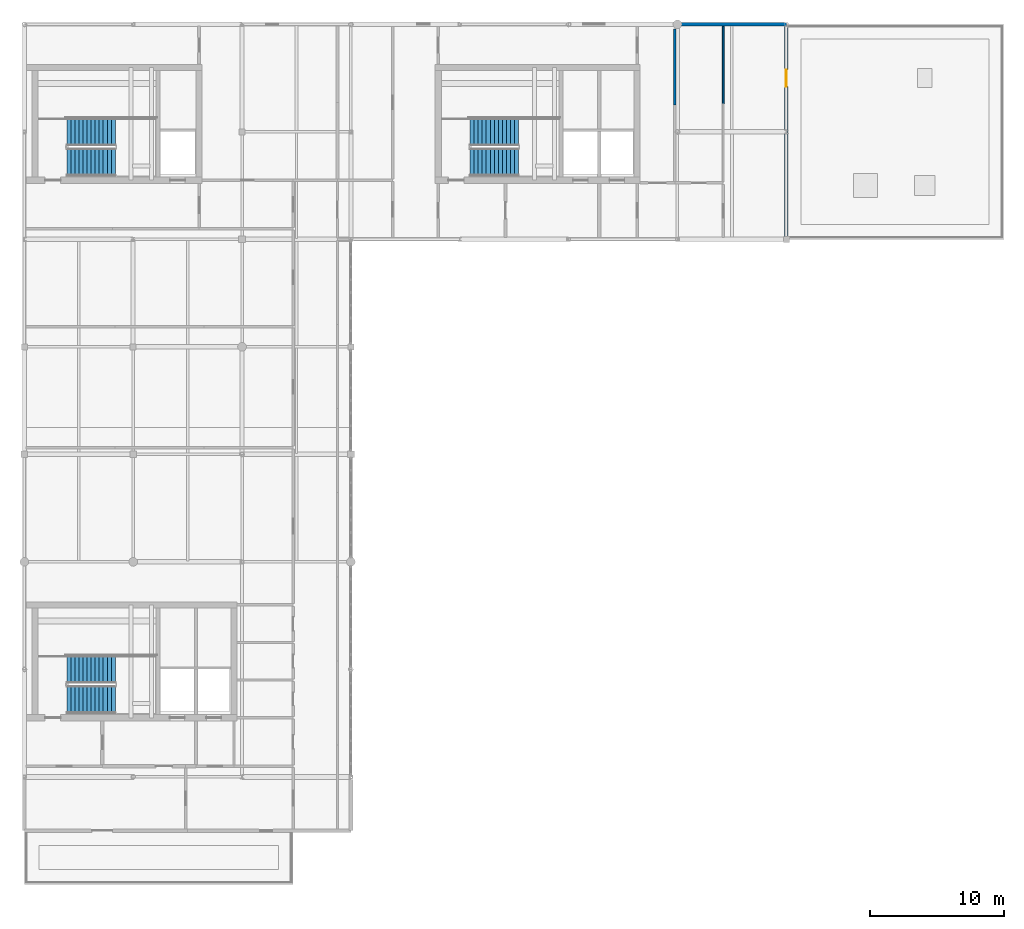
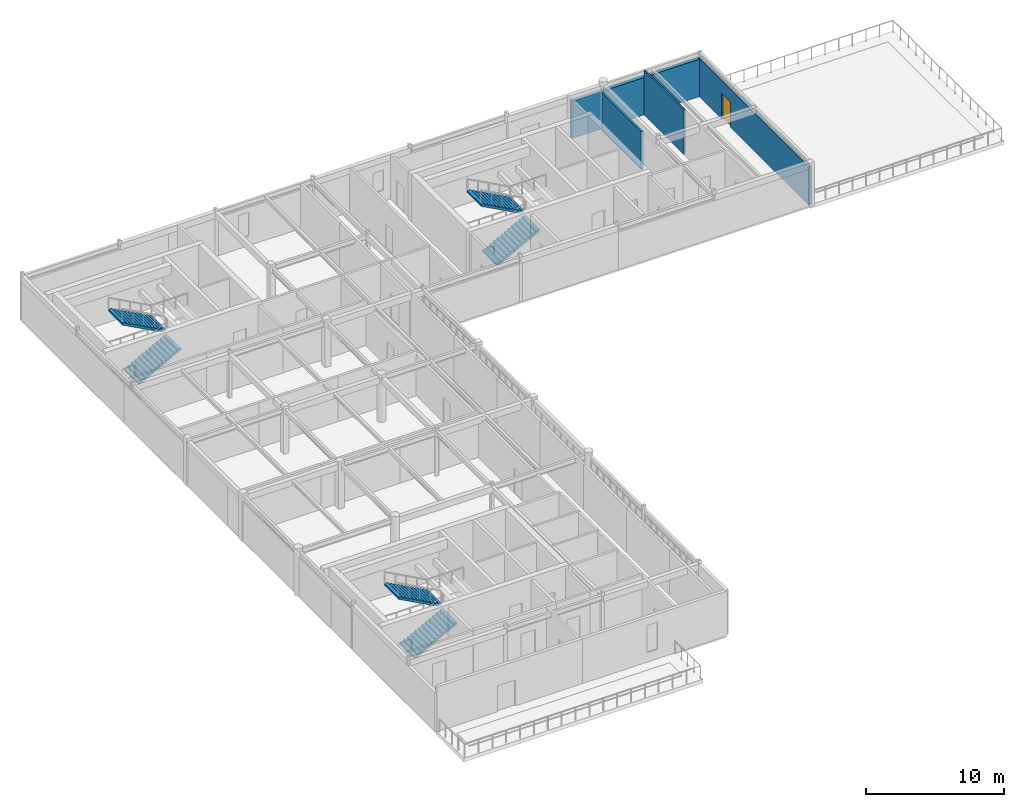
# One storey, part 15 of 18: 6 stair flights, 4 walls, 1 door, 1 opening, 3 elements without a shape of their own.
"""IFC4 building model written with IfcOpenShell, lengths in metres."""

from ifc_helpers import new_model, si_unit, direction, frame, frame_2d, origin, place, context, subcontext, project, spatial, polyline, rectangle, outline, extrude, material, layer, layer_set, type_object, element, fill, aggregate, save


model = new_model("IFC4")

# Units and contexts
model_context = context("Model", 3, precision=1e-05, world=origin(), true_north=direction((0.0, 1.0)))
body_context = subcontext(model_context, "Body", "Model", "MODEL_VIEW")
ifc_project = project(units=[si_unit("LENGTHUNIT", "METRE"), si_unit("AREAUNIT", "SQUARE_METRE"), si_unit("VOLUMEUNIT", "CUBIC_METRE"), si_unit("PLANEANGLEUNIT", "RADIAN"), si_unit("MASSUNIT", "GRAM", prefix="KILO")], contexts=[model_context])

# Site, building, storey
site_placement = place(None, origin())
site = spatial("IfcSite", under=ifc_project, at=site_placement, CompositionType="ELEMENT")
building_placement = place(site_placement, origin())
building = spatial("IfcBuilding", under=site, at=building_placement, Name="Tarnveldt Square Police Headquarters", CompositionType="ELEMENT")
storey_placement = place(building_placement, frame((0.0, 0.0, 29.10009765625)))
storey = spatial("IfcBuildingStorey", under=building, at=storey_placement, Name="L06", CompositionType="ELEMENT", Elevation=29.10009765625)

# Wall, opening, door
ifc_material_1 = material(Name="Precast concrete 35 MPa", Category="concrete")
ifc_layer_1 = layer(ifc_material_1, 0.260009765625)
ifc_layer_set_1 = layer_set([ifc_layer_1], Name="Precast concrete 35 MPa")
wall_type_1 = type_object("IfcWallType", Name="WL-EXT-PC260", PredefinedType="SOLIDWALL", material=ifc_layer_set_1)
wall_1_placement = place(storey_placement, frame((72.89990234375, 96.0, 0.0), z_axis=(0.0, 0.0, 1.0), x_axis=(0.0, 1.0, 0.0)))
wall_1 = element("IfcWall", 1, at=wall_1_placement, inside=storey, type_object=wall_type_1, Name="L06 Brutalist Exterior Wall 0232", PredefinedType="SOLIDWALL", context=body_context, shape_type="SweptSolid", body=[
    extrude(rectangle(XDim=16.0, YDim=0.260009765625, at=frame_2d((8.0, 0.0))), origin(), (0.0, 0.0, 1.0), 3.388916015625),
])
opening_placement = place(wall_1_placement, frame((11.375, 0.0, 0.0)))
opening = element("IfcOpeningElement", 2, at=opening_placement, cuts=wall_1, Name="Opening DT2", PredefinedType="OPENING", context=body_context, shape_type="SweptSolid", body=[
    extrude(rectangle(XDim=1.25, YDim=2.25, at=frame_2d((0.625, 1.125))), frame((0.0, 0.139892578125, 0.0), z_axis=(0.0, -1.0, 0.0), x_axis=(1.0, 0.0, 0.0)), (0.0, 0.0, 1.0), 0.280029296875),
])
ifc_material_2 = material(Name="Thermally broken anodised aluminium 6063-T6", Category="aluminium")
door_type = type_object("IfcDoorType", Name="DR-TER-1250", OperationType="NOTDEFINED", PredefinedType="DOOR", material=ifc_material_2)
door_placement = place(opening_placement, frame((1.25, 0.0, 0.0), z_axis=(0.0, 0.0, 1.0), x_axis=(-1.0, 0.0, 0.0)))
door = element("IfcDoor", 3, at=door_placement, inside=storey, type_object=door_type, Name="Forensic Wing Planted Roof Terrace Access Door", OperationType="SINGLE_SWING_LEFT", OverallHeight=2.25, OverallWidth=1.25, PredefinedType="DOOR", context=body_context, shape_type="SweptSolid", body=[
    extrude(rectangle(XDim=1.25, YDim=2.25, at=frame_2d((0.625, 1.125))), frame((0.0, 0.02490234375, 0.0), z_axis=(0.0, -1.0, 0.0), x_axis=(1.0, 0.0, 0.0)), (0.0, 0.0, 1.0), 0.050048828125),
])
fill(opening, door)

# Walls
ifc_layer_2 = layer(ifc_material_1, 0.280029296875)
ifc_layer_set_2 = layer_set([ifc_layer_2], Name="Precast concrete 35 MPa")
wall_type_2 = type_object("IfcWallType", Name="WL-EXT-PC280", PredefinedType="SOLIDWALL", material=ifc_layer_set_2)
wall_2_placement = place(storey_placement, frame((72.89990234375, 112.0, 0.0), z_axis=(0.0, 0.0, 1.0), x_axis=(-1.0, 0.0, 0.0)))
element("IfcWall", 4, at=wall_2_placement, inside=storey, type_object=wall_type_2, Name="L06 Brutalist Exterior Wall 0233", PredefinedType="SOLIDWALL", context=body_context, shape_type="SweptSolid", body=[
    extrude(rectangle(XDim=10.7998046875, YDim=0.280029296875, at=frame_2d((5.39990234375, 0.0))), origin(), (0.0, 0.0, 1.0), 3.302001953125),
])
ifc_material_3 = material(Name="Fire-rated Type X gypsum board on steel studs", Category="steel")
ifc_layer_3 = layer(ifc_material_3, 0.179931640625)
ifc_layer_set_3 = layer_set([ifc_layer_3], Name="Fire-rated Type X gypsum board on steel studs")
wall_type_3 = type_object("IfcWallType", Name="WL-FIRE-180", PredefinedType="PARTITIONING", material=ifc_layer_set_3)
wall_3_placement = place(storey_placement, frame((64.60009765625, 105.982421875, 0.0), z_axis=(0.0, 0.0, 1.0), x_axis=(0.0, 1.0, 0.0)))
element("IfcWall", 5, at=wall_3_placement, inside=storey, type_object=wall_type_3, Name="L06 Interior Partition Wall 0718", PredefinedType="PARTITIONING", context=body_context, shape_type="SweptSolid", body=[
    extrude(rectangle(XDim=5.6845703125, YDim=0.179931640625, at=frame_2d((2.84228515625, 0.0))), origin(), (0.0, 0.0, 1.0), 3.351806640625),
])
ifc_layer_4 = layer(ifc_material_3, 0.1298828125)
ifc_layer_set_4 = layer_set([ifc_layer_4], Name="Fire-rated Type X gypsum board on steel studs")
wall_type_4 = type_object("IfcWallType", Name="WL-PART-130", PredefinedType="PARTITIONING", material=ifc_layer_set_4)
wall_4_placement = place(storey_placement, frame((68.199951171875, 106.074951171875, 0.0), z_axis=(0.0, 0.0, 1.0), x_axis=(0.0, 1.0, 0.0)))
element("IfcWall", 6, at=wall_4_placement, inside=storey, type_object=wall_type_4, Name="L06 Interior Partition Wall 0721", PredefinedType="PARTITIONING", context=body_context, shape_type="SweptSolid", body=[
    extrude(rectangle(XDim=5.777099609375, YDim=0.1298828125, at=frame_2d((2.888671875, 0.0))), origin(), (0.0, 0.0, 1.0), 3.9599609375),
])

# Stair, stair flights
ifc_material_4 = material(Name="Concrete 40 MPa", Category="concrete")
stair_type = type_object("IfcStairType", Name="STR-HT-48A", PredefinedType="HALF_TURN_STAIR", material=ifc_material_4)
stair_1_placement = place(storey_placement, origin())
stair_1 = element("IfcStair", 7, at=stair_1_placement, inside=storey, type_object=stair_type, Name="L06 Core K1 Exit Stair ST1", PredefinedType="HALF_TURN_STAIR")
stair_flight_type = type_object("IfcStairFlightType", Name="STF-HT-48A", PredefinedType="STRAIGHT", material=ifc_material_4)
stair_flight_1_placement = place(storey_placement, frame((19.3701171875, 61.7451171875, 0.0), z_axis=(0.0, 0.0, 1.0), x_axis=(1.0, 0.0, 0.0)))
stair_flight_1 = element("IfcStairFlight", 8, at=stair_flight_1_placement, type_object=stair_flight_type, Name="ST1 flight 1", NumberOfRisers=13, NumberOfTreads=12, PredefinedType="STRAIGHT", RiserHeight=0.161538462, TreadLength=0.3, context=body_context, shape_type="SweptSolid", body=[
    extrude(outline(polyline([(0.0, 0.0), (0.0, 0.16162109375), (0.300048828125, 0.16162109375), (0.300048828125, 0.322998046875), (0.60009765625, 0.322998046875), (0.60009765625, 0.484619140625), (0.89990234375, 0.484619140625), (0.89990234375, 0.646240234375), (1.199951171875, 0.646240234375), (1.199951171875, 0.8076171875), (1.5, 0.8076171875), (1.5, 0.96923828125), (1.800048828125, 0.96923828125), (1.800048828125, 1.130859375), (2.10009765625, 1.130859375), (2.10009765625, 1.292236328125), (2.39990234375, 1.292236328125), (2.39990234375, 1.453857421875), (2.699951171875, 1.453857421875), (2.699951171875, 1.615478515625), (3.0, 1.615478515625), (3.0, 1.77685546875), (3.300048828125, 1.77685546875), (3.300048828125, 1.9384765625), (3.60009765625, 1.9384765625), (3.60009765625, 2.10009765625), (3.60009765625, 1.768310546875), (0.316162109375, 0.0), (0.0, 0.0)])), frame((0.0, 1.02490234375, 0.0), z_axis=(0.0, -1.0, 0.0), x_axis=(1.0, 0.0, 0.0)), (0.0, 0.0, 1.0), 2.050048828125),
])
stair_flight_2_placement = place(storey_placement, frame((22.969970703125, 63.9951171875, 2.099853515625), z_axis=(0.0, 0.0, 1.0), x_axis=(-1.0, 0.0, 0.0)))
stair_flight_2 = element("IfcStairFlight", 9, at=stair_flight_2_placement, type_object=stair_flight_type, Name="ST1 flight 2", NumberOfRisers=13, NumberOfTreads=12, PredefinedType="STRAIGHT", RiserHeight=0.161538462, TreadLength=0.3, context=body_context, shape_type="SweptSolid", body=[
    extrude(outline(polyline([(0.0, 0.0), (0.0, 0.16162109375), (0.300048828125, 0.16162109375), (0.300048828125, 0.322998046875), (0.60009765625, 0.322998046875), (0.60009765625, 0.484619140625), (0.89990234375, 0.484619140625), (0.89990234375, 0.646240234375), (1.199951171875, 0.646240234375), (1.199951171875, 0.8076171875), (1.5, 0.8076171875), (1.5, 0.96923828125), (1.800048828125, 0.96923828125), (1.800048828125, 1.130859375), (2.10009765625, 1.130859375), (2.10009765625, 1.292236328125), (2.39990234375, 1.292236328125), (2.39990234375, 1.453857421875), (2.699951171875, 1.453857421875), (2.699951171875, 1.615478515625), (3.0, 1.615478515625), (3.0, 1.77685546875), (3.300048828125, 1.77685546875), (3.300048828125, 1.9384765625), (3.60009765625, 1.9384765625), (3.60009765625, 2.10009765625), (3.60009765625, 1.768310546875), (0.316162109375, 0.0), (0.0, 0.0)])), frame((0.0, 1.02490234375, 0.0), z_axis=(0.0, -1.0, 0.0), x_axis=(1.0, 0.0, 0.0)), (0.0, 0.0, 1.0), 2.050048828125),
])
aggregate(stair_1, [stair_flight_1, stair_flight_2])

stair_2_placement = place(storey_placement, origin())
stair_2 = element("IfcStair", 10, at=stair_2_placement, inside=storey, type_object=stair_type, Name="L06 Core K2 Exit Stair ST2", PredefinedType="HALF_TURN_STAIR")
stair_flight_3_placement = place(storey_placement, frame((19.3701171875, 101.7451171875, 0.0), z_axis=(0.0, 0.0, 1.0), x_axis=(1.0, 0.0, 0.0)))
stair_flight_3 = element("IfcStairFlight", 11, at=stair_flight_3_placement, type_object=stair_flight_type, Name="ST2 flight 1", NumberOfRisers=13, NumberOfTreads=12, PredefinedType="STRAIGHT", RiserHeight=0.161538462, TreadLength=0.3, context=body_context, shape_type="SweptSolid", body=[
    extrude(outline(polyline([(0.0, 0.0), (0.0, 0.16162109375), (0.300048828125, 0.16162109375), (0.300048828125, 0.322998046875), (0.60009765625, 0.322998046875), (0.60009765625, 0.484619140625), (0.89990234375, 0.484619140625), (0.89990234375, 0.646240234375), (1.199951171875, 0.646240234375), (1.199951171875, 0.8076171875), (1.5, 0.8076171875), (1.5, 0.96923828125), (1.800048828125, 0.96923828125), (1.800048828125, 1.130859375), (2.10009765625, 1.130859375), (2.10009765625, 1.292236328125), (2.39990234375, 1.292236328125), (2.39990234375, 1.453857421875), (2.699951171875, 1.453857421875), (2.699951171875, 1.615478515625), (3.0, 1.615478515625), (3.0, 1.77685546875), (3.300048828125, 1.77685546875), (3.300048828125, 1.9384765625), (3.60009765625, 1.9384765625), (3.60009765625, 2.10009765625), (3.60009765625, 1.768310546875), (0.316162109375, 0.0), (0.0, 0.0)])), frame((0.0, 1.02490234375, 0.0), z_axis=(0.0, -1.0, 0.0), x_axis=(1.0, 0.0, 0.0)), (0.0, 0.0, 1.0), 2.050048828125),
])
stair_flight_4_placement = place(storey_placement, frame((22.969970703125, 103.9951171875, 2.099853515625), z_axis=(0.0, 0.0, 1.0), x_axis=(-1.0, 0.0, 0.0)))
stair_flight_4 = element("IfcStairFlight", 12, at=stair_flight_4_placement, type_object=stair_flight_type, Name="ST2 flight 2", NumberOfRisers=13, NumberOfTreads=12, PredefinedType="STRAIGHT", RiserHeight=0.161538462, TreadLength=0.3, context=body_context, shape_type="SweptSolid", body=[
    extrude(outline(polyline([(0.0, 0.0), (0.0, 0.16162109375), (0.300048828125, 0.16162109375), (0.300048828125, 0.322998046875), (0.60009765625, 0.322998046875), (0.60009765625, 0.484619140625), (0.89990234375, 0.484619140625), (0.89990234375, 0.646240234375), (1.199951171875, 0.646240234375), (1.199951171875, 0.8076171875), (1.5, 0.8076171875), (1.5, 0.96923828125), (1.800048828125, 0.96923828125), (1.800048828125, 1.130859375), (2.10009765625, 1.130859375), (2.10009765625, 1.292236328125), (2.39990234375, 1.292236328125), (2.39990234375, 1.453857421875), (2.699951171875, 1.453857421875), (2.699951171875, 1.615478515625), (3.0, 1.615478515625), (3.0, 1.77685546875), (3.300048828125, 1.77685546875), (3.300048828125, 1.9384765625), (3.60009765625, 1.9384765625), (3.60009765625, 2.10009765625), (3.60009765625, 1.768310546875), (0.316162109375, 0.0), (0.0, 0.0)])), frame((0.0, 1.02490234375, 0.0), z_axis=(0.0, -1.0, 0.0), x_axis=(1.0, 0.0, 0.0)), (0.0, 0.0, 1.0), 2.050048828125),
])
aggregate(stair_2, [stair_flight_3, stair_flight_4])

stair_3_placement = place(storey_placement, origin())
stair_3 = element("IfcStair", 13, at=stair_3_placement, inside=storey, type_object=stair_type, Name="L06 Core K3 Exit Stair ST3", PredefinedType="HALF_TURN_STAIR")
stair_flight_5_placement = place(storey_placement, frame((49.3701171875, 101.7451171875, 0.0), z_axis=(0.0, 0.0, 1.0), x_axis=(1.0, 0.0, 0.0)))
stair_flight_5 = element("IfcStairFlight", 14, at=stair_flight_5_placement, type_object=stair_flight_type, Name="ST3 flight 1", NumberOfRisers=13, NumberOfTreads=12, PredefinedType="STRAIGHT", RiserHeight=0.161538462, TreadLength=0.3, context=body_context, shape_type="SweptSolid", body=[
    extrude(outline(polyline([(0.0, 0.0), (0.0, 0.16162109375), (0.300048828125, 0.16162109375), (0.300048828125, 0.322998046875), (0.60009765625, 0.322998046875), (0.60009765625, 0.484619140625), (0.89990234375, 0.484619140625), (0.89990234375, 0.646240234375), (1.199951171875, 0.646240234375), (1.199951171875, 0.8076171875), (1.5, 0.8076171875), (1.5, 0.96923828125), (1.800048828125, 0.96923828125), (1.800048828125, 1.130859375), (2.10009765625, 1.130859375), (2.10009765625, 1.292236328125), (2.39990234375, 1.292236328125), (2.39990234375, 1.453857421875), (2.699951171875, 1.453857421875), (2.699951171875, 1.615478515625), (3.0, 1.615478515625), (3.0, 1.77685546875), (3.300048828125, 1.77685546875), (3.300048828125, 1.9384765625), (3.60009765625, 1.9384765625), (3.60009765625, 2.10009765625), (3.60009765625, 1.768310546875), (0.316162109375, 0.0), (0.0, 0.0)])), frame((0.0, 1.02490234375, 0.0), z_axis=(0.0, -1.0, 0.0), x_axis=(1.0, 0.0, 0.0)), (0.0, 0.0, 1.0), 2.050048828125),
])
stair_flight_6_placement = place(storey_placement, frame((52.969970703125, 103.9951171875, 2.099853515625), z_axis=(0.0, 0.0, 1.0), x_axis=(-1.0, 0.0, 0.0)))
stair_flight_6 = element("IfcStairFlight", 15, at=stair_flight_6_placement, type_object=stair_flight_type, Name="ST3 flight 2", NumberOfRisers=13, NumberOfTreads=12, PredefinedType="STRAIGHT", RiserHeight=0.161538462, TreadLength=0.3, context=body_context, shape_type="SweptSolid", body=[
    extrude(outline(polyline([(0.0, 0.0), (0.0, 0.16162109375), (0.300048828125, 0.16162109375), (0.300048828125, 0.322998046875), (0.60009765625, 0.322998046875), (0.60009765625, 0.484619140625), (0.89990234375, 0.484619140625), (0.89990234375, 0.646240234375), (1.199951171875, 0.646240234375), (1.199951171875, 0.8076171875), (1.5, 0.8076171875), (1.5, 0.96923828125), (1.800048828125, 0.96923828125), (1.800048828125, 1.130859375), (2.10009765625, 1.130859375), (2.10009765625, 1.292236328125), (2.39990234375, 1.292236328125), (2.39990234375, 1.453857421875), (2.699951171875, 1.453857421875), (2.699951171875, 1.615478515625), (3.0, 1.615478515625), (3.0, 1.77685546875), (3.300048828125, 1.77685546875), (3.300048828125, 1.9384765625), (3.60009765625, 1.9384765625), (3.60009765625, 2.10009765625), (3.60009765625, 1.768310546875), (0.316162109375, 0.0), (0.0, 0.0)])), frame((0.0, 1.02490234375, 0.0), z_axis=(0.0, -1.0, 0.0), x_axis=(1.0, 0.0, 0.0)), (0.0, 0.0, 1.0), 2.050048828125),
])
aggregate(stair_3, [stair_flight_5, stair_flight_6])

save(model, "model.ifc")
